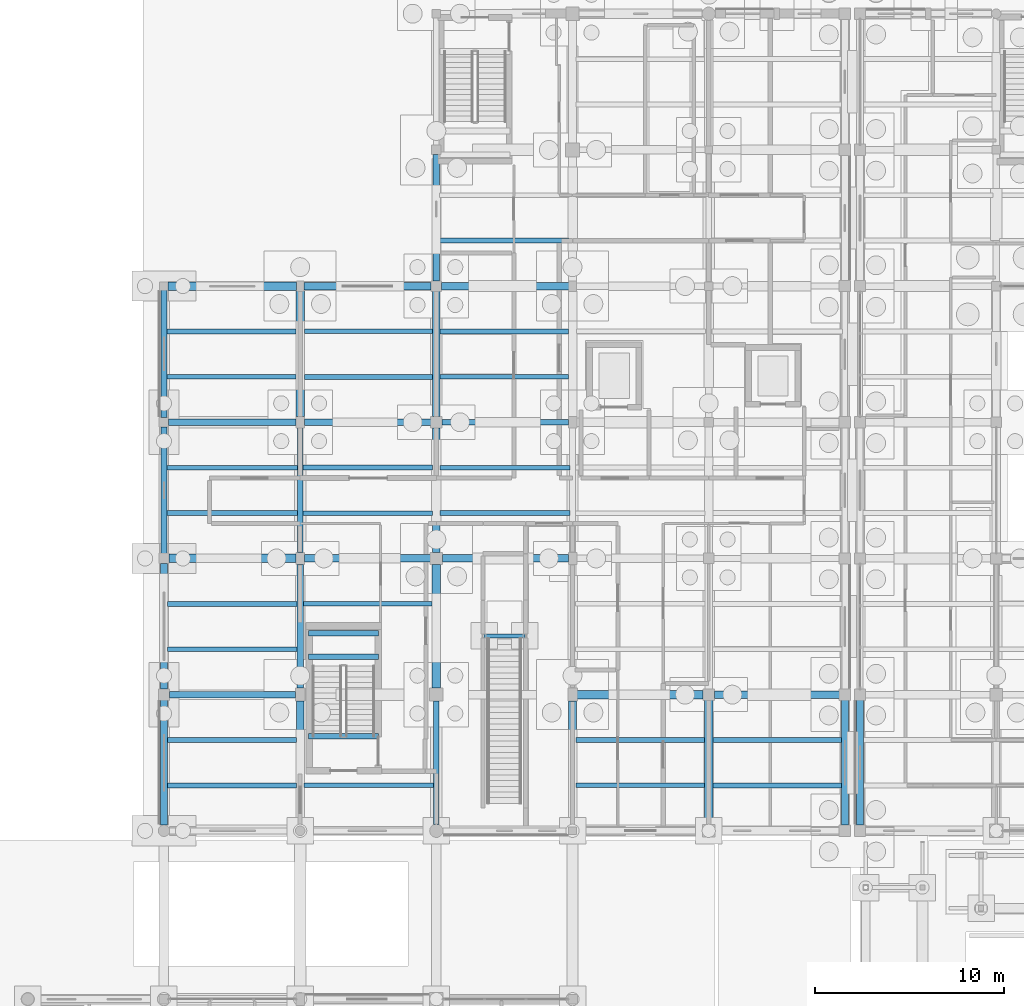
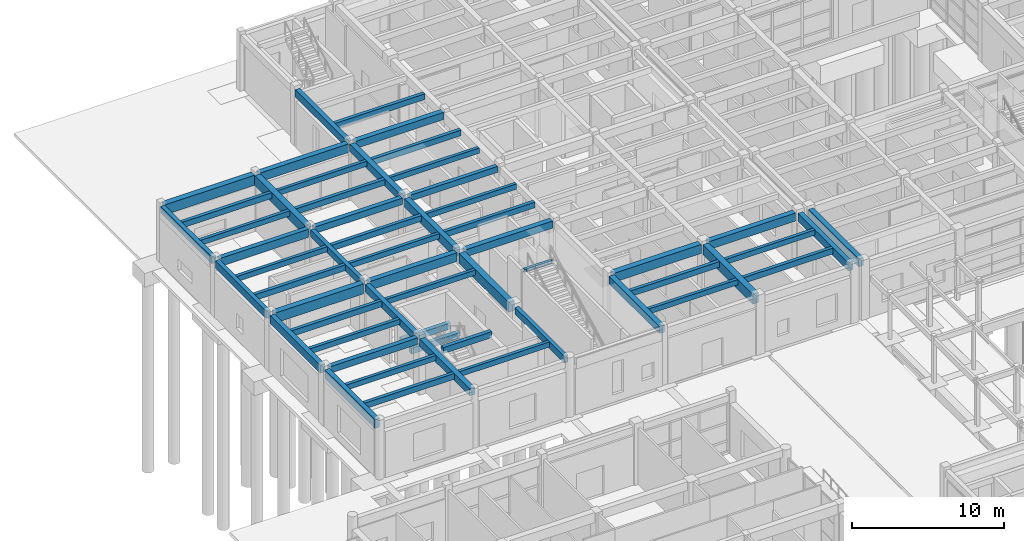
# One storey, part 57 of 143: 56 beams.
"""IFC4 building model written with IfcOpenShell, lengths in metres."""

from ifc_helpers import new_model, si_unit, direction, frame, origin, origin_2d, place, context, subcontext, project, spatial, rectangle, i_section, extrude, material, material_profile, profile_set, type_object, element, save


model = new_model("IFC4")

# Units and contexts
model_context = context("Model", 3, precision=1e-05, world=origin(), true_north=direction((0.0, 1.0)))
body_context = subcontext(model_context, "Body", "Model", "MODEL_VIEW")
ifc_project = project(units=[si_unit("LENGTHUNIT", "METRE"), si_unit("AREAUNIT", "SQUARE_METRE"), si_unit("VOLUMEUNIT", "CUBIC_METRE"), si_unit("PLANEANGLEUNIT", "RADIAN"), si_unit("MASSUNIT", "GRAM", prefix="KILO")], contexts=[model_context])

# Site, building, storey
site_placement = place(None, origin())
site = spatial("IfcSite", under=ifc_project, at=site_placement, CompositionType="ELEMENT")
building_placement = place(site_placement, origin())
building = spatial("IfcBuilding", under=site, at=building_placement, Name="Steenspoor Specialist Clinic", CompositionType="ELEMENT")
storey_placement = place(building_placement, origin())
storey = spatial("IfcBuildingStorey", under=building, at=storey_placement, Name="L00", CompositionType="ELEMENT", Elevation=0.0)

# Beams
ifc_material_1 = material(Name="Concrete C35/45", Category="concrete")
ifc_material_profile_1 = material_profile(ifc_material_1, rectangle(XDim=0.300048828125, YDim=0.47998046875, at=origin_2d()), Name="RC-BM-300X480")
ifc_profile_set_1 = profile_set([ifc_material_profile_1], Name="Concrete C35/45")
beam_type_1 = type_object("IfcBeamType", Name="BM-RC-300X480", PredefinedType="BEAM", material=ifc_profile_set_1)
for number, where, z_axis, x_axis, name in (
    (1, (23.25, 74.35009765625, 1.9599609375), (1.0, 0.0, 0.0), (0.0, 1.0, 0.0), "Stair Mid-Landing Bearer 1 ST-V5B L00"),
    (2, (23.25, 75.60009765625, 1.9599609375), (1.0, 0.0, 0.0), (0.0, 1.0, 0.0), "Stair Mid-Landing Bearer 2 ST-V5B L00"),
    (3, (23.25, 70.14990234375, 4.56005859375), (1.0, 0.0, 0.0), (0.0, 1.0, 0.0), "Stair Well Trimmer Beam ST-V5B L00"),
):
    element("IfcBeam", number, at=place(storey_placement, frame(where, z_axis=z_axis, x_axis=x_axis)), inside=storey, type_object=beam_type_1, Name=name, PredefinedType="BEAM", context=body_context, shape_type="SweptSolid", body=[
        extrude(rectangle(XDim=0.300048828125, YDim=0.47998046875, at=origin_2d()), origin(), (0.0, 0.0, 1.0), 3.699951171875),
    ])
beam_1_placement = place(storey_placement, frame((30.294921875, 86.75, 4.280029296875), z_axis=(1.0, 0.0, 0.0), x_axis=(0.0, 1.0, 0.0)))
element("IfcBeam", 4, at=beam_1_placement, inside=storey, type_object=beam_type_1, Name="BM-V5-L00-X1067", PredefinedType="BEAM", context=body_context, shape_type="SweptSolid", body=[
    extrude(rectangle(XDim=0.300048828125, YDim=0.47998046875, at=origin_2d()), origin(), (0.0, 0.0, 1.0), 6.68505859375),
])
ifc_material_profile_2 = material_profile(ifc_material_1, rectangle(XDim=0.300048828125, YDim=0.550048828125, at=origin_2d()), Name="RC-BM-300X550")
ifc_profile_set_2 = profile_set([ifc_material_profile_2], Name="Concrete C35/45")
beam_type_2 = type_object("IfcBeamType", Name="BM-RC-300X550", PredefinedType="BEAM", material=ifc_profile_set_2)
beam_2_placement = place(storey_placement, frame((22.800048828125, 79.8701171875, 4.2451171875), z_axis=(0.0, 1.0, 0.0), x_axis=(-1.0, 0.0, 0.0)))
element("IfcBeam", 5, at=beam_2_placement, inside=storey, type_object=beam_type_2, Name="BM-V5-L00-Y1086", PredefinedType="BEAM", context=body_context, shape_type="SweptSolid", body=[
    extrude(rectangle(XDim=0.300048828125, YDim=0.550048828125, at=origin_2d()), origin(), (0.0, 0.0, 1.0), 6.5849609375),
])
beam_3_placement = place(storey_placement, frame((30.0, 65.4951171875, 4.2451171875), z_axis=(0.0, 1.0, 0.0), x_axis=(-1.0, 0.0, 0.0)))
element("IfcBeam", 6, at=beam_3_placement, inside=storey, type_object=beam_type_2, Name="BM-V5-L00-Y1088", PredefinedType="BEAM", context=body_context, shape_type="SweptSolid", body=[
    extrude(rectangle(XDim=0.300048828125, YDim=0.550048828125, at=origin_2d()), origin(), (0.0, 0.0, 1.0), 6.509765625),
])
ifc_material_profile_3 = material_profile(ifc_material_1, rectangle(XDim=0.35009765625, YDim=0.52001953125, at=origin_2d()), Name="RC-BM-350X520")
ifc_profile_set_3 = profile_set([ifc_material_profile_3], Name="Concrete C35/45")
beam_type_3 = type_object("IfcBeamType", Name="BM-RC-350X520", PredefinedType="BEAM", material=ifc_profile_set_3)
beam_4_placement = place(storey_placement, frame((15.89501953125, 72.35009765625, 4.260009765625), z_axis=(1.0, 0.0, 0.0), x_axis=(0.0, 1.0, 0.0)))
element("IfcBeam", 7, at=beam_4_placement, inside=storey, type_object=beam_type_3, Name="BM-V5-L00-X1057", PredefinedType="BEAM", context=body_context, shape_type="SweptSolid", body=[
    extrude(rectangle(XDim=0.35009765625, YDim=0.52001953125, at=origin_2d()), origin(), (0.0, 0.0, 1.0), 6.659912109375),
])
beam_5_placement = place(storey_placement, frame((23.02001953125, 86.75, 4.260009765625), z_axis=(1.0, 0.0, 0.0), x_axis=(0.0, 1.0, 0.0)))
element("IfcBeam", 8, at=beam_5_placement, inside=storey, type_object=beam_type_3, Name="BM-V5-L00-X1066", PredefinedType="BEAM", context=body_context, shape_type="SweptSolid", body=[
    extrude(rectangle(XDim=0.35009765625, YDim=0.52001953125, at=origin_2d()), origin(), (0.0, 0.0, 1.0), 6.68505859375),
])
ifc_material_profile_4 = material_profile(ifc_material_1, rectangle(XDim=0.35009765625, YDim=0.580078125, at=origin_2d()), Name="RC-BM-350X580")
ifc_profile_set_4 = profile_set([ifc_material_profile_4], Name="Concrete C35/45")
beam_type_4 = type_object("IfcBeamType", Name="BM-RC-350X580", PredefinedType="BEAM", material=ifc_profile_set_4)
beam_6_placement = place(storey_placement, frame((22.800048828125, 72.695068359375, 4.22998046875), z_axis=(0.0, 1.0, 0.0), x_axis=(-1.0, 0.0, 0.0)))
element("IfcBeam", 9, at=beam_6_placement, inside=storey, type_object=beam_type_4, Name="BM-V5-L00-Y1085", PredefinedType="BEAM", context=body_context, shape_type="SweptSolid", body=[
    extrude(rectangle(XDim=0.35009765625, YDim=0.580078125, at=origin_2d()), origin(), (0.0, 0.0, 1.0), 6.534912109375),
])
beam_7_placement = place(storey_placement, frame((30.0, 94.219970703125, 4.22998046875), z_axis=(0.0, 1.0, 0.0), x_axis=(-1.0, 0.0, 0.0)))
element("IfcBeam", 10, at=beam_7_placement, inside=storey, type_object=beam_type_4, Name="BM-V5-L00-Y1092", PredefinedType="BEAM", context=body_context, shape_type="SweptSolid", body=[
    extrude(rectangle(XDim=0.35009765625, YDim=0.580078125, at=origin_2d()), origin(), (0.0, 0.0, 1.0), 6.68505859375),
])
ifc_material_profile_5 = material_profile(ifc_material_1, rectangle(XDim=0.35009765625, YDim=0.64990234375, at=origin_2d()), Name="RC-BM-350X650")
ifc_profile_set_5 = profile_set([ifc_material_profile_5], Name="Concrete C35/45")
beam_type_5 = type_object("IfcBeamType", Name="BM-RC-350X650", PredefinedType="BEAM", material=ifc_profile_set_5)
beam_8_placement = place(storey_placement, frame((15.844970703125, 86.75, 4.195068359375), z_axis=(1.0, 0.0, 0.0), x_axis=(0.0, 1.0, 0.0)))
element("IfcBeam", 11, at=beam_8_placement, inside=storey, type_object=beam_type_5, Name="BM-V5-L00-X1065", PredefinedType="BEAM", context=body_context, shape_type="SweptSolid", body=[
    extrude(rectangle(XDim=0.35009765625, YDim=0.64990234375, at=origin_2d()), origin(), (0.0, 0.0, 1.0), 6.735107421875),
])
ifc_material_profile_6 = material_profile(ifc_material_1, rectangle(XDim=0.39990234375, YDim=0.580078125, at=origin_2d()), Name="RC-BM-400X580")
ifc_profile_set_6 = profile_set([ifc_material_profile_6], Name="Concrete C35/45")
beam_type_6 = type_object("IfcBeamType", Name="BM-RC-400X580", PredefinedType="BEAM", material=ifc_profile_set_6)
beam_9_placement = place(storey_placement, frame((30.320068359375, 79.550048828125, 4.22998046875), z_axis=(1.0, 0.0, 0.0), x_axis=(0.0, 1.0, 0.0)))
element("IfcBeam", 12, at=beam_9_placement, inside=storey, type_object=beam_type_6, Name="BM-V5-L00-X1062", PredefinedType="BEAM", context=body_context, shape_type="SweptSolid", body=[
    extrude(rectangle(XDim=0.39990234375, YDim=0.580078125, at=origin_2d()), origin(), (0.0, 0.0, 1.0), 6.659912109375),
])
beam_10_placement = place(storey_placement, frame((30.27001953125, 93.949951171875, 4.22998046875), z_axis=(1.0, 0.0, 0.0), x_axis=(0.0, 1.0, 0.0)))
element("IfcBeam", 13, at=beam_10_placement, inside=storey, type_object=beam_type_6, Name="BM-V5-L00-X1072", PredefinedType="BEAM", context=body_context, shape_type="SweptSolid", body=[
    extrude(rectangle(XDim=0.39990234375, YDim=0.580078125, at=origin_2d()), origin(), (0.0, 0.0, 1.0), 6.73486328125),
])
beam_11_placement = place(storey_placement, frame((22.800048828125, 65.39501953125, 4.22998046875), z_axis=(0.0, 1.0, 0.0), x_axis=(-1.0, 0.0, 0.0)))
element("IfcBeam", 14, at=beam_11_placement, inside=storey, type_object=beam_type_6, Name="BM-V5-L00-Y1084", PredefinedType="BEAM", context=body_context, shape_type="SweptSolid", body=[
    extrude(rectangle(XDim=0.39990234375, YDim=0.580078125, at=origin_2d()), origin(), (0.0, 0.0, 1.0), 6.60986328125),
])
beam_12_placement = place(storey_placement, frame((30.0, 87.044921875, 4.22998046875), z_axis=(0.0, 1.0, 0.0), x_axis=(-1.0, 0.0, 0.0)))
element("IfcBeam", 15, at=beam_12_placement, inside=storey, type_object=beam_type_6, Name="BM-V5-L00-Y1091", PredefinedType="BEAM", context=body_context, shape_type="SweptSolid", body=[
    extrude(rectangle(XDim=0.39990234375, YDim=0.580078125, at=origin_2d()), origin(), (0.0, 0.0, 1.0), 6.635009765625),
])
beam_13_placement = place(storey_placement, frame((37.199951171875, 65.344970703125, 4.22998046875), z_axis=(0.0, 1.0, 0.0), x_axis=(-1.0, 0.0, 0.0)))
element("IfcBeam", 16, at=beam_13_placement, inside=storey, type_object=beam_type_6, Name="BM-V5-L00-Y1094", PredefinedType="BEAM", context=body_context, shape_type="SweptSolid", body=[
    extrude(rectangle(XDim=0.39990234375, YDim=0.580078125, at=origin_2d()), origin(), (0.0, 0.0, 1.0), 6.659912109375),
])
ifc_material_profile_7 = material_profile(ifc_material_1, rectangle(XDim=0.39990234375, YDim=0.64990234375, at=origin_2d()), Name="RC-BM-400X650")
ifc_profile_set_7 = profile_set([ifc_material_profile_7], Name="Concrete C35/45")
beam_type_7 = type_object("IfcBeamType", Name="BM-RC-400X650", PredefinedType="BEAM", material=ifc_profile_set_7)
beam_14_placement = place(storey_placement, frame((44.695068359375, 72.35009765625, 4.195068359375), z_axis=(1.0, 0.0, 0.0), x_axis=(0.0, 1.0, 0.0)))
element("IfcBeam", 17, at=beam_14_placement, inside=storey, type_object=beam_type_7, Name="BM-V5-L00-X1059", PredefinedType="BEAM", context=body_context, shape_type="SweptSolid", body=[
    extrude(rectangle(XDim=0.39990234375, YDim=0.64990234375, at=origin_2d()), origin(), (0.0, 0.0, 1.0), 6.60986328125),
])
ifc_material_profile_8 = material_profile(ifc_material_1, rectangle(XDim=0.39990234375, YDim=0.699951171875, at=origin_2d()), Name="RC-BM-400X700")
ifc_profile_set_8 = profile_set([ifc_material_profile_8], Name="Concrete C35/45")
beam_type_8 = type_object("IfcBeamType", Name="BM-RC-400X700", PredefinedType="BEAM", material=ifc_profile_set_8)
beam_15_placement = place(storey_placement, frame((23.02001953125, 79.550048828125, 4.169921875), z_axis=(1.0, 0.0, 0.0), x_axis=(0.0, 1.0, 0.0)))
element("IfcBeam", 18, at=beam_15_placement, inside=storey, type_object=beam_type_8, Name="BM-V5-L00-X1061", PredefinedType="BEAM", context=body_context, shape_type="SweptSolid", body=[
    extrude(rectangle(XDim=0.39990234375, YDim=0.699951171875, at=origin_2d()), origin(), (0.0, 0.0, 1.0), 6.659912109375),
])
beam_16_placement = place(storey_placement, frame((22.9951171875, 93.949951171875, 4.169921875), z_axis=(1.0, 0.0, 0.0), x_axis=(0.0, 1.0, 0.0)))
element("IfcBeam", 19, at=beam_16_placement, inside=storey, type_object=beam_type_8, Name="BM-V5-L00-X1071", PredefinedType="BEAM", context=body_context, shape_type="SweptSolid", body=[
    extrude(rectangle(XDim=0.39990234375, YDim=0.699951171875, at=origin_2d()), origin(), (0.0, 0.0, 1.0), 6.73486328125),
])
beam_17_placement = place(storey_placement, frame((30.0, 79.8701171875, 4.169921875), z_axis=(0.0, 1.0, 0.0), x_axis=(-1.0, 0.0, 0.0)))
element("IfcBeam", 20, at=beam_17_placement, inside=storey, type_object=beam_type_8, Name="BM-V5-L00-Y1090", PredefinedType="BEAM", context=body_context, shape_type="SweptSolid", body=[
    extrude(rectangle(XDim=0.39990234375, YDim=0.699951171875, at=origin_2d()), origin(), (0.0, 0.0, 1.0), 6.5849609375),
])
ifc_material_profile_9 = material_profile(ifc_material_1, rectangle(XDim=0.449951171875, YDim=0.719970703125, at=origin_2d()), Name="RC-BM-450X720")
ifc_profile_set_9 = profile_set([ifc_material_profile_9], Name="Concrete C35/45")
beam_type_9 = type_object("IfcBeamType", Name="BM-RC-450X720", PredefinedType="BEAM", material=ifc_profile_set_9)
beam_18_placement = place(storey_placement, frame((37.445068359375, 72.35009765625, 4.159912109375), z_axis=(1.0, 0.0, 0.0), x_axis=(0.0, 1.0, 0.0)))
element("IfcBeam", 21, at=beam_18_placement, inside=storey, type_object=beam_type_9, Name="BM-V5-L00-X1058", PredefinedType="BEAM", context=body_context, shape_type="SweptSolid", body=[
    extrude(rectangle(XDim=0.449951171875, YDim=0.719970703125, at=origin_2d()), origin(), (0.0, 0.0, 1.0), 6.659912109375),
])
ifc_material_profile_10 = material_profile(ifc_material_1, rectangle(XDim=0.449951171875, YDim=0.800048828125, at=origin_2d()), Name="RC-BM-450X800")
ifc_profile_set_10 = profile_set([ifc_material_profile_10], Name="Concrete C35/45")
beam_type_10 = type_object("IfcBeamType", Name="BM-RC-450X800", PredefinedType="BEAM", material=ifc_profile_set_10)
beam_19_placement = place(storey_placement, frame((15.8701171875, 79.550048828125, 4.1201171875), z_axis=(1.0, 0.0, 0.0), x_axis=(0.0, 1.0, 0.0)))
element("IfcBeam", 22, at=beam_19_placement, inside=storey, type_object=beam_type_10, Name="BM-V5-L00-X1060", PredefinedType="BEAM", context=body_context, shape_type="SweptSolid", body=[
    extrude(rectangle(XDim=0.449951171875, YDim=0.800048828125, at=origin_2d()), origin(), (0.0, 0.0, 1.0), 6.7099609375),
])
beam_20_placement = place(storey_placement, frame((15.820068359375, 93.949951171875, 4.1201171875), z_axis=(1.0, 0.0, 0.0), x_axis=(0.0, 1.0, 0.0)))
element("IfcBeam", 23, at=beam_20_placement, inside=storey, type_object=beam_type_10, Name="BM-V5-L00-X1070", PredefinedType="BEAM", context=body_context, shape_type="SweptSolid", body=[
    extrude(rectangle(XDim=0.449951171875, YDim=0.800048828125, at=origin_2d()), origin(), (0.0, 0.0, 1.0), 6.784912109375),
])
beam_21_placement = place(storey_placement, frame((22.800048828125, 87.044921875, 4.1201171875), z_axis=(0.0, 1.0, 0.0), x_axis=(-1.0, 0.0, 0.0)))
element("IfcBeam", 24, at=beam_21_placement, inside=storey, type_object=beam_type_10, Name="BM-V5-L00-Y1087", PredefinedType="BEAM", context=body_context, shape_type="SweptSolid", body=[
    extrude(rectangle(XDim=0.449951171875, YDim=0.800048828125, at=origin_2d()), origin(), (0.0, 0.0, 1.0), 6.635009765625),
])
beam_22_placement = place(storey_placement, frame((30.0, 72.695068359375, 4.1201171875), z_axis=(0.0, 1.0, 0.0), x_axis=(-1.0, 0.0, 0.0)))
element("IfcBeam", 25, at=beam_22_placement, inside=storey, type_object=beam_type_10, Name="BM-V5-L00-Y1089", PredefinedType="BEAM", context=body_context, shape_type="SweptSolid", body=[
    extrude(rectangle(XDim=0.449951171875, YDim=0.800048828125, at=origin_2d()), origin(), (0.0, 0.0, 1.0), 6.534912109375),
])
beam_23_placement = place(storey_placement, frame((44.39990234375, 65.469970703125, 4.1201171875), z_axis=(0.0, 1.0, 0.0), x_axis=(-1.0, 0.0, 0.0)))
element("IfcBeam", 26, at=beam_23_placement, inside=storey, type_object=beam_type_10, Name="BM-V5-L00-Y1100", PredefinedType="BEAM", context=body_context, shape_type="SweptSolid", body=[
    extrude(rectangle(XDim=0.449951171875, YDim=0.800048828125, at=origin_2d()), origin(), (0.0, 0.0, 1.0), 6.5849609375),
])
ifc_material_2 = material(Name="Steel A992 Grade 50", Category="steel")
ifc_material_profile_11 = material_profile(ifc_material_2, i_section(OverallWidth=0.202880859375, OverallDepth=0.251953125, WebThickness=0.008056640625, FlangeThickness=0.013427734375, at=origin_2d()), Name="W250X58")
ifc_profile_set_11 = profile_set([ifc_material_profile_11], Name="Steel A992 Grade 50")
beam_type_11 = type_object("IfcBeamType", Name="BM-ST-W250X58", PredefinedType="JOIST", material=ifc_profile_set_11)
beam_24_placement = place(storey_placement, frame((32.52490234375, 75.449951171875, 4.469970703125), z_axis=(1.0, 0.0, 0.0), x_axis=(0.0, 1.0, 0.0)))
element("IfcBeam", 27, at=beam_24_placement, inside=storey, type_object=beam_type_11, Name="Feature Stair Landing Bearer ST-F05", PredefinedType="JOIST", context=body_context, shape_type="SweptSolid", body=[
    extrude(i_section(OverallWidth=0.202880859375, OverallDepth=0.251953125, WebThickness=0.008056640625, FlangeThickness=0.013427734375, at=origin_2d()), origin(), (0.0, 0.0, 1.0), 2.150146484375),
])
ifc_material_profile_12 = material_profile(ifc_material_1, rectangle(XDim=0.239990234375, YDim=0.419921875, at=origin_2d()), Name="RC-JT-240X420")
ifc_profile_set_12 = profile_set([ifc_material_profile_12], Name="Concrete C35/45")
beam_type_12 = type_object("IfcBeamType", Name="JT-RC-240X420", PredefinedType="JOIST", material=ifc_profile_set_12)
beam_25_placement = place(storey_placement, frame((15.77490234375, 69.949951171875, 4.31005859375), z_axis=(1.0, 0.0, 0.0), x_axis=(0.0, 1.0, 0.0)))
element("IfcBeam", 28, at=beam_25_placement, inside=storey, type_object=beam_type_12, Name="JT-V5-L00-1113", PredefinedType="JOIST", context=body_context, shape_type="SweptSolid", body=[
    extrude(rectangle(XDim=0.239990234375, YDim=0.419921875, at=origin_2d()), origin(), (0.0, 0.0, 1.0), 6.830078125),
])
beam_26_placement = place(storey_placement, frame((15.77490234375, 74.75, 4.31005859375), z_axis=(1.0, 0.0, 0.0), x_axis=(0.0, 1.0, 0.0)))
element("IfcBeam", 29, at=beam_26_placement, inside=storey, type_object=beam_type_12, Name="JT-V5-L00-1114", PredefinedType="JOIST", context=body_context, shape_type="SweptSolid", body=[
    extrude(rectangle(XDim=0.239990234375, YDim=0.419921875, at=origin_2d()), origin(), (0.0, 0.0, 1.0), 6.85498046875),
])
beam_27_placement = place(storey_placement, frame((15.7548828125, 84.35009765625, 4.31005859375), z_axis=(1.0, 0.0, 0.0), x_axis=(0.0, 1.0, 0.0)))
element("IfcBeam", 30, at=beam_27_placement, inside=storey, type_object=beam_type_12, Name="JT-V5-L00-1117", PredefinedType="JOIST", context=body_context, shape_type="SweptSolid", body=[
    extrude(rectangle(XDim=0.239990234375, YDim=0.419921875, at=origin_2d()), origin(), (0.0, 0.0, 1.0), 6.900146484375),
])
beam_28_placement = place(storey_placement, frame((15.7548828125, 89.14990234375, 4.31005859375), z_axis=(1.0, 0.0, 0.0), x_axis=(0.0, 1.0, 0.0)))
element("IfcBeam", 31, at=beam_28_placement, inside=storey, type_object=beam_type_12, Name="JT-V5-L00-1118", PredefinedType="JOIST", context=body_context, shape_type="SweptSolid", body=[
    extrude(rectangle(XDim=0.239990234375, YDim=0.419921875, at=origin_2d()), origin(), (0.0, 0.0, 1.0), 6.8251953125),
])
beam_29_placement = place(storey_placement, frame((22.9951171875, 67.550048828125, 4.31005859375), z_axis=(1.0, 0.0, 0.0), x_axis=(0.0, 1.0, 0.0)))
element("IfcBeam", 32, at=beam_29_placement, inside=storey, type_object=beam_type_12, Name="JT-V5-L00-1120", PredefinedType="JOIST", context=body_context, shape_type="SweptSolid", body=[
    extrude(rectangle(XDim=0.239990234375, YDim=0.419921875, at=origin_2d()), origin(), (0.0, 0.0, 1.0), 6.85986328125),
])
beam_30_placement = place(storey_placement, frame((22.969970703125, 77.14990234375, 4.31005859375), z_axis=(1.0, 0.0, 0.0), x_axis=(0.0, 1.0, 0.0)))
element("IfcBeam", 33, at=beam_30_placement, inside=storey, type_object=beam_type_12, Name="JT-V5-L00-1121", PredefinedType="JOIST", context=body_context, shape_type="SweptSolid", body=[
    extrude(rectangle(XDim=0.239990234375, YDim=0.419921875, at=origin_2d()), origin(), (0.0, 0.0, 1.0), 6.81005859375),
])
beam_31_placement = place(storey_placement, frame((22.945068359375, 81.949951171875, 4.31005859375), z_axis=(1.0, 0.0, 0.0), x_axis=(0.0, 1.0, 0.0)))
element("IfcBeam", 34, at=beam_31_placement, inside=storey, type_object=beam_type_12, Name="JT-V5-L00-1122", PredefinedType="JOIST", context=body_context, shape_type="SweptSolid", body=[
    extrude(rectangle(XDim=0.239990234375, YDim=0.419921875, at=origin_2d()), origin(), (0.0, 0.0, 1.0), 6.85986328125),
])
beam_32_placement = place(storey_placement, frame((23.02001953125, 91.550048828125, 4.31005859375), z_axis=(1.0, 0.0, 0.0), x_axis=(0.0, 1.0, 0.0)))
element("IfcBeam", 35, at=beam_32_placement, inside=storey, type_object=beam_type_12, Name="JT-V5-L00-1125", PredefinedType="JOIST", context=body_context, shape_type="SweptSolid", body=[
    extrude(rectangle(XDim=0.239990234375, YDim=0.419921875, at=origin_2d()), origin(), (0.0, 0.0, 1.0), 6.784912109375),
])
beam_33_placement = place(storey_placement, frame((30.195068359375, 84.35009765625, 4.31005859375), z_axis=(1.0, 0.0, 0.0), x_axis=(0.0, 1.0, 0.0)))
element("IfcBeam", 36, at=beam_33_placement, inside=storey, type_object=beam_type_12, Name="JT-V5-L00-1127", PredefinedType="JOIST", context=body_context, shape_type="SweptSolid", body=[
    extrude(rectangle(XDim=0.239990234375, YDim=0.419921875, at=origin_2d()), origin(), (0.0, 0.0, 1.0), 6.85986328125),
])
for number, where, z_axis, x_axis, name in (
    (37, (30.195068359375, 89.14990234375, 4.31005859375), (1.0, 0.0, 0.0), (0.0, 1.0, 0.0), "JT-V5-L00-1128"),
    (38, (37.39501953125, 67.550048828125, 4.31005859375), (1.0, 0.0, 0.0), (0.0, 1.0, 0.0), "JT-V5-L00-1132"),
):
    element("IfcBeam", number, at=place(storey_placement, frame(where, z_axis=z_axis, x_axis=x_axis)), inside=storey, type_object=beam_type_12, Name=name, PredefinedType="JOIST", context=body_context, shape_type="SweptSolid", body=[
        extrude(rectangle(XDim=0.239990234375, YDim=0.419921875, at=origin_2d()), origin(), (0.0, 0.0, 1.0), 6.784912109375),
    ])
beam_34_placement = place(storey_placement, frame((44.6201171875, 69.949951171875, 4.31005859375), z_axis=(1.0, 0.0, 0.0), x_axis=(0.0, 1.0, 0.0)))
element("IfcBeam", 39, at=beam_34_placement, inside=storey, type_object=beam_type_12, Name="JT-V5-L00-1144", PredefinedType="JOIST", context=body_context, shape_type="SweptSolid", body=[
    extrude(rectangle(XDim=0.239990234375, YDim=0.419921875, at=origin_2d()), origin(), (0.0, 0.0, 1.0), 6.804931640625),
])
ifc_material_profile_13 = material_profile(ifc_material_1, rectangle(XDim=0.260009765625, YDim=0.4599609375, at=origin_2d()), Name="RC-JT-260X460")
ifc_profile_set_13 = profile_set([ifc_material_profile_13], Name="Concrete C35/45")
beam_type_13 = type_object("IfcBeamType", Name="JT-RC-260X460", PredefinedType="JOIST", material=ifc_profile_set_13)
beam_35_placement = place(storey_placement, frame((15.77490234375, 67.550048828125, 4.2900390625), z_axis=(1.0, 0.0, 0.0), x_axis=(0.0, 1.0, 0.0)))
element("IfcBeam", 40, at=beam_35_placement, inside=storey, type_object=beam_type_13, Name="JT-V5-L00-1112", PredefinedType="JOIST", context=body_context, shape_type="SweptSolid", body=[
    extrude(rectangle(XDim=0.260009765625, YDim=0.4599609375, at=origin_2d()), origin(), (0.0, 0.0, 1.0), 6.830078125),
])
beam_36_placement = place(storey_placement, frame((15.77490234375, 77.14990234375, 4.2900390625), z_axis=(1.0, 0.0, 0.0), x_axis=(0.0, 1.0, 0.0)))
element("IfcBeam", 41, at=beam_36_placement, inside=storey, type_object=beam_type_13, Name="JT-V5-L00-1115", PredefinedType="JOIST", context=body_context, shape_type="SweptSolid", body=[
    extrude(rectangle(XDim=0.260009765625, YDim=0.4599609375, at=origin_2d()), origin(), (0.0, 0.0, 1.0), 6.85498046875),
])
beam_37_placement = place(storey_placement, frame((15.7548828125, 81.949951171875, 4.2900390625), z_axis=(1.0, 0.0, 0.0), x_axis=(0.0, 1.0, 0.0)))
element("IfcBeam", 42, at=beam_37_placement, inside=storey, type_object=beam_type_13, Name="JT-V5-L00-1116", PredefinedType="JOIST", context=body_context, shape_type="SweptSolid", body=[
    extrude(rectangle(XDim=0.260009765625, YDim=0.4599609375, at=origin_2d()), origin(), (0.0, 0.0, 1.0), 6.900146484375),
])
beam_38_placement = place(storey_placement, frame((15.7548828125, 91.550048828125, 4.2900390625), z_axis=(1.0, 0.0, 0.0), x_axis=(0.0, 1.0, 0.0)))
element("IfcBeam", 43, at=beam_38_placement, inside=storey, type_object=beam_type_13, Name="JT-V5-L00-1119", PredefinedType="JOIST", context=body_context, shape_type="SweptSolid", body=[
    extrude(rectangle(XDim=0.260009765625, YDim=0.4599609375, at=origin_2d()), origin(), (0.0, 0.0, 1.0), 6.8251953125),
])
beam_39_placement = place(storey_placement, frame((22.945068359375, 84.35009765625, 4.2900390625), z_axis=(1.0, 0.0, 0.0), x_axis=(0.0, 1.0, 0.0)))
element("IfcBeam", 44, at=beam_39_placement, inside=storey, type_object=beam_type_13, Name="JT-V5-L00-1123", PredefinedType="JOIST", context=body_context, shape_type="SweptSolid", body=[
    extrude(rectangle(XDim=0.260009765625, YDim=0.4599609375, at=origin_2d()), origin(), (0.0, 0.0, 1.0), 6.85986328125),
])
beam_40_placement = place(storey_placement, frame((23.02001953125, 89.14990234375, 4.2900390625), z_axis=(1.0, 0.0, 0.0), x_axis=(0.0, 1.0, 0.0)))
element("IfcBeam", 45, at=beam_40_placement, inside=storey, type_object=beam_type_13, Name="JT-V5-L00-1124", PredefinedType="JOIST", context=body_context, shape_type="SweptSolid", body=[
    extrude(rectangle(XDim=0.260009765625, YDim=0.4599609375, at=origin_2d()), origin(), (0.0, 0.0, 1.0), 6.784912109375),
])
beam_41_placement = place(storey_placement, frame((30.195068359375, 81.949951171875, 4.2900390625), z_axis=(1.0, 0.0, 0.0), x_axis=(0.0, 1.0, 0.0)))
element("IfcBeam", 46, at=beam_41_placement, inside=storey, type_object=beam_type_13, Name="JT-V5-L00-1126", PredefinedType="JOIST", context=body_context, shape_type="SweptSolid", body=[
    extrude(rectangle(XDim=0.260009765625, YDim=0.4599609375, at=origin_2d()), origin(), (0.0, 0.0, 1.0), 6.85986328125),
])
beam_42_placement = place(storey_placement, frame((30.195068359375, 91.550048828125, 4.2900390625), z_axis=(1.0, 0.0, 0.0), x_axis=(0.0, 1.0, 0.0)))
element("IfcBeam", 47, at=beam_42_placement, inside=storey, type_object=beam_type_13, Name="JT-V5-L00-1129", PredefinedType="JOIST", context=body_context, shape_type="SweptSolid", body=[
    extrude(rectangle(XDim=0.260009765625, YDim=0.4599609375, at=origin_2d()), origin(), (0.0, 0.0, 1.0), 6.784912109375),
])
beam_43_placement = place(storey_placement, frame((30.169921875, 96.35009765625, 4.2900390625), z_axis=(1.0, 0.0, 0.0), x_axis=(0.0, 1.0, 0.0)))
element("IfcBeam", 48, at=beam_43_placement, inside=storey, type_object=beam_type_13, Name="JT-V5-L00-1130", PredefinedType="JOIST", context=body_context, shape_type="SweptSolid", body=[
    extrude(rectangle(XDim=0.260009765625, YDim=0.4599609375, at=origin_2d()), origin(), (0.0, 0.0, 1.0), 6.8349609375),
])
beam_44_placement = place(storey_placement, frame((37.39501953125, 69.949951171875, 4.2900390625), z_axis=(1.0, 0.0, 0.0), x_axis=(0.0, 1.0, 0.0)))
element("IfcBeam", 49, at=beam_44_placement, inside=storey, type_object=beam_type_13, Name="JT-V5-L00-1133", PredefinedType="JOIST", context=body_context, shape_type="SweptSolid", body=[
    extrude(rectangle(XDim=0.260009765625, YDim=0.4599609375, at=origin_2d()), origin(), (0.0, 0.0, 1.0), 6.784912109375),
])
beam_45_placement = place(storey_placement, frame((44.6201171875, 67.550048828125, 4.2900390625), z_axis=(1.0, 0.0, 0.0), x_axis=(0.0, 1.0, 0.0)))
element("IfcBeam", 50, at=beam_45_placement, inside=storey, type_object=beam_type_13, Name="JT-V5-L00-1143", PredefinedType="JOIST", context=body_context, shape_type="SweptSolid", body=[
    extrude(rectangle(XDim=0.260009765625, YDim=0.4599609375, at=origin_2d()), origin(), (0.0, 0.0, 1.0), 6.804931640625),
])
ifc_material_profile_14 = material_profile(ifc_material_1, rectangle(XDim=0.320068359375, YDim=0.5400390625, at=origin_2d()), Name="RC-SP-320X540")
ifc_profile_set_14 = profile_set([ifc_material_profile_14], Name="Concrete C35/45")
beam_type_14 = type_object("IfcBeamType", Name="SP-RC-320X540", PredefinedType="SPANDREL", material=ifc_profile_set_14)
beam_46_placement = place(storey_placement, frame((15.60009765625, 86.9951171875, 4.25), z_axis=(0.0, 1.0, 0.0), x_axis=(-1.0, 0.0, 0.0)))
element("IfcBeam", 51, at=beam_46_placement, inside=storey, type_object=beam_type_14, Name="BM-V5-L00-Y1083", PredefinedType="SPANDREL", context=body_context, shape_type="SweptSolid", body=[
    extrude(rectangle(XDim=0.320068359375, YDim=0.5400390625, at=origin_2d()), origin(), (0.0, 0.0, 1.0), 6.73486328125),
])
ifc_material_profile_15 = material_profile(ifc_material_1, rectangle(XDim=0.320068359375, YDim=0.60009765625, at=origin_2d()), Name="RC-SP-320X600")
ifc_profile_set_15 = profile_set([ifc_material_profile_15], Name="Concrete C35/45")
beam_type_15 = type_object("IfcBeamType", Name="SP-RC-320X600", PredefinedType="SPANDREL", material=ifc_profile_set_15)
beam_47_placement = place(storey_placement, frame((15.60009765625, 79.820068359375, 4.219970703125), z_axis=(0.0, 1.0, 0.0), x_axis=(-1.0, 0.0, 0.0)))
element("IfcBeam", 52, at=beam_47_placement, inside=storey, type_object=beam_type_15, Name="BM-V5-L00-Y1082", PredefinedType="SPANDREL", context=body_context, shape_type="SweptSolid", body=[
    extrude(rectangle(XDim=0.320068359375, YDim=0.60009765625, at=origin_2d()), origin(), (0.0, 0.0, 1.0), 6.684814453125),
])
ifc_material_profile_16 = material_profile(ifc_material_1, rectangle(XDim=0.360107421875, YDim=0.639892578125, at=origin_2d()), Name="RC-SP-360X640")
ifc_profile_set_16 = profile_set([ifc_material_profile_16], Name="Concrete C35/45")
beam_type_16 = type_object("IfcBeamType", Name="SP-RC-360X640", PredefinedType="SPANDREL", material=ifc_profile_set_16)
beam_48_placement = place(storey_placement, frame((52.39990234375, 65.445068359375, 4.22998046875), z_axis=(0.0, 1.0, 0.0), x_axis=(-1.0, 0.0, 0.0)))
element("IfcBeam", 53, at=beam_48_placement, inside=storey, type_object=beam_type_16, Name="BM-V4-L00-Y0341", PredefinedType="SPANDREL", context=body_context, shape_type="SweptSolid", body=[
    extrude(rectangle(XDim=0.360107421875, YDim=0.639892578125, at=origin_2d()), origin(), (0.0, 0.0, 1.0), 6.60986328125),
])
beam_49_placement = place(storey_placement, frame((15.60009765625, 72.64501953125, 4.199951171875), z_axis=(0.0, 1.0, 0.0), x_axis=(-1.0, 0.0, 0.0)))
element("IfcBeam", 54, at=beam_49_placement, inside=storey, type_object=beam_type_16, Name="BM-V5-L00-Y1081", PredefinedType="SPANDREL", context=body_context, shape_type="SweptSolid", body=[
    extrude(rectangle(XDim=0.360107421875, YDim=0.639892578125, at=origin_2d()), origin(), (0.0, 0.0, 1.0), 6.635009765625),
])
beam_50_placement = place(storey_placement, frame((51.60009765625, 65.445068359375, 4.199951171875), z_axis=(0.0, 1.0, 0.0), x_axis=(-1.0, 0.0, 0.0)))
element("IfcBeam", 55, at=beam_50_placement, inside=storey, type_object=beam_type_16, Name="BM-V5-L00-Y1106", PredefinedType="SPANDREL", context=body_context, shape_type="SweptSolid", body=[
    extrude(rectangle(XDim=0.360107421875, YDim=0.639892578125, at=origin_2d()), origin(), (0.0, 0.0, 1.0), 6.60986328125),
])
ifc_material_profile_17 = material_profile(ifc_material_1, rectangle(XDim=0.360107421875, YDim=0.719970703125, at=origin_2d()), Name="RC-SP-360X720")
ifc_profile_set_17 = profile_set([ifc_material_profile_17], Name="Concrete C35/45")
beam_type_17 = type_object("IfcBeamType", Name="SP-RC-360X720", PredefinedType="SPANDREL", material=ifc_profile_set_17)
beam_51_placement = place(storey_placement, frame((15.60009765625, 65.445068359375, 4.159912109375), z_axis=(0.0, 1.0, 0.0), x_axis=(-1.0, 0.0, 0.0)))
element("IfcBeam", 56, at=beam_51_placement, inside=storey, type_object=beam_type_17, Name="BM-V5-L00-Y1080", PredefinedType="SPANDREL", context=body_context, shape_type="SweptSolid", body=[
    extrude(rectangle(XDim=0.360107421875, YDim=0.719970703125, at=origin_2d()), origin(), (0.0, 0.0, 1.0), 6.60986328125),
])

save(model, "model.ifc")
